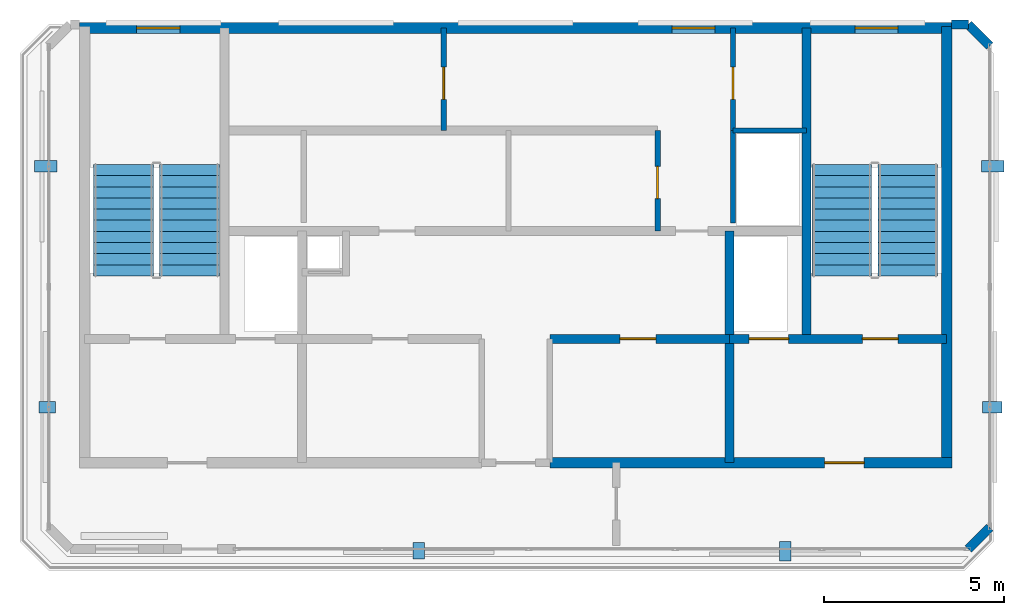
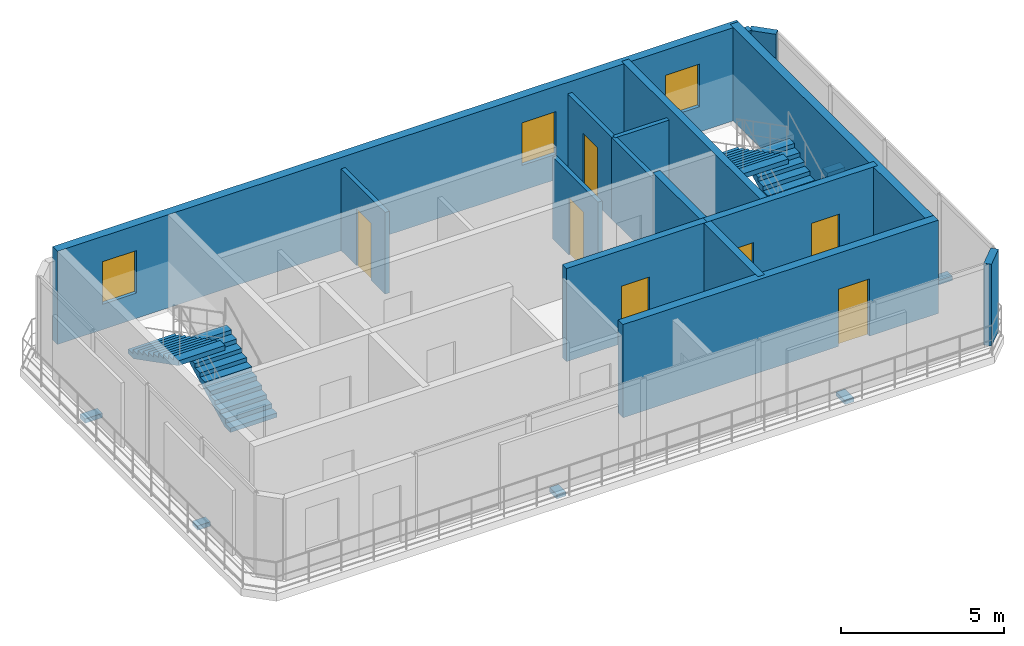
# One storey, part 6 of 7: 15 walls, 7 doors, 6 discrete accessories, 4 stair flights, 3 windows, 10 openings, 2 elements without a shape of their own.
"""IFC4 building model written with IfcOpenShell, lengths in metres."""

from ifc_helpers import new_model, si_unit, direction, frame, frame_2d, origin, origin_2d, place, context, subcontext, project, spatial, polyline, rectangle, outline, extrude, material, layer, layer_set, type_object, element, fill, aggregate, save


model = new_model("IFC4")

# Units and contexts
model_context = context("Model", 3, precision=1e-05, world=origin(), true_north=direction((0.0, 1.0)))
body_context = subcontext(model_context, "Body", "Model", "MODEL_VIEW")
ifc_project = project(units=[si_unit("LENGTHUNIT", "METRE"), si_unit("AREAUNIT", "SQUARE_METRE"), si_unit("VOLUMEUNIT", "CUBIC_METRE"), si_unit("PLANEANGLEUNIT", "RADIAN"), si_unit("MASSUNIT", "GRAM", prefix="KILO")], contexts=[model_context])

# Site, building, storey
site_placement = place(None, origin())
site = spatial("IfcSite", under=ifc_project, at=site_placement, CompositionType="ELEMENT")
building_placement = place(site_placement, origin())
building = spatial("IfcBuilding", under=site, at=building_placement, Name="Catumbela Crestline Tower", CompositionType="ELEMENT")
storey_placement = place(building_placement, frame((0.0, 0.0, 315.0)))
storey = spatial("IfcBuildingStorey", under=building, at=storey_placement, Name="L81", CompositionType="ELEMENT", Elevation=315.0)

# Walls
ifc_material_1 = material(Name="Concrete C50/60", Category="concrete")
ifc_layer_1 = layer(ifc_material_1, 0.25, Name="Concrete C50/60")
ifc_layer_set_1 = layer_set([ifc_layer_1], Name="Concrete C50/60")
wall_type_1 = type_object("IfcWallType", Name="CW-250D", PredefinedType="SHEAR", material=ifc_layer_set_1)
wall_1_placement = place(storey_placement, frame((36.1, 34.25, 0.0), z_axis=(0.0, 0.0, 1.0), x_axis=(0.0, 1.0, 0.0)))
element("IfcWall", 1, at=wall_1_placement, inside=storey, type_object=wall_type_1, Name="L81 Structural Core Shear Wall EWEB", PredefinedType="SHEAR", context=body_context, shape_type="SweptSolid", body=[
    extrude(rectangle(XDim=8.65, YDim=0.25, at=frame_2d((4.325, 0.0))), origin(), (0.0, 0.0, 1.0), 3.5),
])
wall_2_placement = place(storey_placement, frame((33.95, 30.8, 0.0), z_axis=(0.0, 0.0, 1.0), x_axis=(0.0, 1.0, 0.0)))
element("IfcWall", 2, at=wall_2_placement, inside=storey, type_object=wall_type_1, Name="L81 Structural Core Shear Wall FFE", PredefinedType="SHEAR", context=body_context, shape_type="SweptSolid", body=[
    extrude(rectangle(XDim=6.45, YDim=0.25, at=frame_2d((3.225, 0.0))), origin(), (0.0, 0.0, 1.0), 3.5),
])

# Wall, openings, doors
wall_3_placement = place(storey_placement, frame((33.95, 34.25, 0.0), z_axis=(0.0, 0.0, 1.0), x_axis=(1.0, 0.0, 0.0)))
wall_3 = element("IfcWall", 3, at=wall_3_placement, inside=storey, type_object=wall_type_1, Name="L81 Structural Core Shear Wall ST2S", PredefinedType="SHEAR", context=body_context, shape_type="SweptSolid", body=[
    extrude(rectangle(XDim=6.05, YDim=0.25, at=frame_2d((3.025, 0.0))), origin(), (0.0, 0.0, 1.0), 3.5),
])
opening_1_placement = place(wall_3_placement, frame((3.7, 0.0, 0.0)))
opening_1 = element("IfcOpeningElement", 4, at=opening_1_placement, cuts=wall_3, Name="Opening DF9-100", PredefinedType="OPENING", context=body_context, shape_type="SweptSolid", body=[
    extrude(rectangle(XDim=1.0, YDim=2.15, at=frame_2d((0.5, 1.075))), frame((0.0, 0.135, 0.0), z_axis=(0.0, -1.0, 0.0), x_axis=(1.0, 0.0, 0.0)), (0.0, 0.0, 1.0), 0.27),
])
opening_2_placement = place(wall_3_placement, frame((0.55, 0.0, 0.0)))
opening_2 = element("IfcOpeningElement", 5, at=opening_2_placement, cuts=wall_3, Name="Opening LD-110", PredefinedType="OPENING", context=body_context, shape_type="SweptSolid", body=[
    extrude(rectangle(XDim=1.1, YDim=2.15, at=frame_2d((0.55, 1.075))), frame((0.0, 0.135, 0.0), z_axis=(0.0, -1.0, 0.0), x_axis=(1.0, 0.0, 0.0)), (0.0, 0.0, 1.0), 0.27),
])
ifc_material_2 = material(Name="Stainless steel EN 1.4401", Category="steel")
door_type_1 = type_object("IfcDoorType", Name="DF9-100", OperationType="NOTDEFINED", PredefinedType="DOOR", material=ifc_material_2)
door_1_placement = place(opening_1_placement, origin())
door_1 = element("IfcDoor", 6, at=door_1_placement, inside=storey, type_object=door_type_1, Name="L81 Interior Door DR-L81-ST02", OperationType="SINGLE_SWING_RIGHT", OverallHeight=2.15, OverallWidth=1.0, PredefinedType="DOOR", context=body_context, shape_type="SweptSolid", body=[
    extrude(rectangle(XDim=1.0, YDim=2.15, at=frame_2d((0.5, 1.075))), frame((0.0, 0.025, 0.0), z_axis=(0.0, -1.0, 0.0), x_axis=(1.0, 0.0, 0.0)), (0.0, 0.0, 1.0), 0.05),
])
fill(opening_1, door_1)
door_type_2 = type_object("IfcDoorType", Name="LD-110", OperationType="NOTDEFINED", PredefinedType="DOOR", material=ifc_material_2)
door_2_placement = place(opening_2_placement, origin())
door_2 = element("IfcDoor", 7, at=door_2_placement, inside=storey, type_object=door_type_2, Name="L81 Lift Landing Sliding Door FL-02", OperationType="DOUBLE_DOOR_SLIDING", OverallHeight=2.15, OverallWidth=1.1, PredefinedType="DOOR", context=body_context, shape_type="SweptSolid", body=[
    extrude(rectangle(XDim=1.1, YDim=2.15, at=frame_2d((0.55, 1.075))), frame((0.0, 0.025, 0.0), z_axis=(0.0, -1.0, 0.0), x_axis=(1.0, 0.0, 0.0)), (0.0, 0.0, 1.0), 0.05),
])
fill(opening_2, door_2)

# Wall, opening, door
wall_4_placement = place(storey_placement, frame((28.95, 34.25, 0.0), z_axis=(0.0, 0.0, 1.0), x_axis=(1.0, 0.0, 0.0)))
wall_4 = element("IfcWall", 8, at=wall_4_placement, inside=storey, type_object=wall_type_1, Name="L81 Structural Core Shear Wall LIFTS-E", PredefinedType="SHEAR", context=body_context, shape_type="SweptSolid", body=[
    extrude(rectangle(XDim=5.0, YDim=0.25, at=frame_2d((2.5, 0.0))), origin(), (0.0, 0.0, 1.0), 3.5),
])
opening_3_placement = place(wall_4_placement, frame((1.95, 0.0, 0.0)))
opening_3 = element("IfcOpeningElement", 9, at=opening_3_placement, cuts=wall_4, Name="Opening DF9-100", PredefinedType="OPENING", context=body_context, shape_type="SweptSolid", body=[
    extrude(rectangle(XDim=1.0, YDim=2.15, at=frame_2d((0.5, 1.075))), frame((0.0, 0.135, 0.0), z_axis=(0.0, -1.0, 0.0), x_axis=(1.0, 0.0, 0.0)), (0.0, 0.0, 1.0), 0.27),
])
door_3_placement = place(opening_3_placement, origin())
door_3 = element("IfcDoor", 10, at=door_3_placement, inside=storey, type_object=door_type_1, Name="L81 Interior Door DR-L81-RECL2", OperationType="SINGLE_SWING_RIGHT", OverallHeight=2.15, OverallWidth=1.0, PredefinedType="DOOR", context=body_context, shape_type="SweptSolid", body=[
    extrude(rectangle(XDim=1.0, YDim=2.15, at=frame_2d((0.5, 1.075))), frame((0.0, 0.025, 0.0), z_axis=(0.0, -1.0, 0.0), x_axis=(1.0, 0.0, 0.0)), (0.0, 0.0, 1.0), 0.05),
])
fill(opening_3, door_3)

# Wall
ifc_material_3 = material(Name="Concrete C45/55", Category="concrete")
ifc_layer_2 = layer(ifc_material_3, 0.3, Name="Concrete C45/55")
ifc_layer_set_2 = layer_set([ifc_layer_2], Name="Concrete C45/55")
wall_type_2 = type_object("IfcWallType", Name="CW-300C", PredefinedType="SHEAR", material=ifc_layer_set_2)
wall_5_placement = place(storey_placement, frame((40.0, 30.65, 0.0), z_axis=(0.0, 0.0, 1.0), x_axis=(0.0, 1.0, 0.0)))
element("IfcWall", 11, at=wall_5_placement, inside=storey, type_object=wall_type_2, Name="L81 Structural Core Shear Wall E", PredefinedType="SHEAR", context=body_context, shape_type="SweptSolid", body=[
    extrude(rectangle(XDim=12.3, YDim=0.3, at=frame_2d((6.15, 0.0))), origin(), (0.0, 0.0, 1.0), 3.5),
])

# Wall, opening, door
wall_6_placement = place(storey_placement, frame((28.95, 30.8, 0.0), z_axis=(0.0, 0.0, 1.0), x_axis=(1.0, 0.0, 0.0)))
wall_6 = element("IfcWall", 12, at=wall_6_placement, inside=storey, type_object=wall_type_2, Name="L81 Structural Core Shear Wall SE", PredefinedType="SHEAR", context=body_context, shape_type="SweptSolid", body=[
    extrude(rectangle(XDim=11.2, YDim=0.3, at=frame_2d((5.6, 0.0))), origin(), (0.0, 0.0, 1.0), 3.5),
])
opening_4_placement = place(wall_6_placement, frame((7.65, 0.0, 0.0)))
opening_4 = element("IfcOpeningElement", 13, at=opening_4_placement, cuts=wall_6, Name="Opening DF9-110", PredefinedType="OPENING", context=body_context, shape_type="SweptSolid", body=[
    extrude(rectangle(XDim=1.1, YDim=2.15, at=frame_2d((0.55, 1.075))), frame((0.0, 0.16, 0.0), z_axis=(0.0, -1.0, 0.0), x_axis=(1.0, 0.0, 0.0)), (0.0, 0.0, 1.0), 0.32),
])
door_type_3 = type_object("IfcDoorType", Name="DF9-110", OperationType="NOTDEFINED", PredefinedType="DOOR", material=ifc_material_2)
door_4_placement = place(opening_4_placement, origin())
door_4 = element("IfcDoor", 14, at=door_4_placement, inside=storey, type_object=door_type_3, Name="L81 Interior Door DR-L81-FFE-S", OperationType="SINGLE_SWING_RIGHT", OverallHeight=2.15, OverallWidth=1.1, PredefinedType="DOOR", context=body_context, shape_type="SweptSolid", body=[
    extrude(rectangle(XDim=1.1, YDim=2.15, at=frame_2d((0.55, 1.075))), frame((0.0, 0.025, 0.0), z_axis=(0.0, -1.0, 0.0), x_axis=(1.0, 0.0, 0.0)), (0.0, 0.0, 1.0), 0.05),
])
fill(opening_4, door_4)

# Wall, openings, windows
ifc_layer_3 = layer(ifc_material_3, 0.3, Name="Concrete C45/55")
ifc_layer_set_3 = layer_set([ifc_layer_3], Name="Concrete C45/55")
wall_type_3 = type_object("IfcWallType", Name="CW-300E", PredefinedType="SHEAR", material=ifc_layer_set_3)
wall_7_placement = place(storey_placement, frame((15.85, 42.9, 0.0), z_axis=(0.0, 0.0, 1.0), x_axis=(1.0, 0.0, 0.0)))
wall_7 = element("IfcWall", 15, at=wall_7_placement, inside=storey, type_object=wall_type_3, Name="L81 Structural Core Shear Wall N", PredefinedType="SHEAR", context=body_context, shape_type="SweptSolid", body=[
    extrude(rectangle(XDim=24.3, YDim=0.3, at=frame_2d((12.15, 0.0))), origin(), (0.0, 0.0, 1.0), 3.5),
])
opening_5_placement = place(wall_7_placement, frame((1.6, 0.0, 0.95)))
opening_5 = element("IfcOpeningElement", 16, at=opening_5_placement, cuts=wall_7, Name="Opening WN-02", PredefinedType="OPENING", context=body_context, shape_type="SweptSolid", body=[
    extrude(rectangle(XDim=1.2, YDim=1.6, at=frame_2d((0.6, 0.8))), frame((0.0, 0.16, 0.0), z_axis=(0.0, -1.0, 0.0), x_axis=(1.0, 0.0, 0.0)), (0.0, 0.0, 1.0), 0.32),
])
opening_6_placement = place(wall_7_placement, frame((16.5, 0.0, 0.95)))
opening_6 = element("IfcOpeningElement", 17, at=opening_6_placement, cuts=wall_7, Name="Opening WN-02", PredefinedType="OPENING", context=body_context, shape_type="SweptSolid", body=[
    extrude(rectangle(XDim=1.2, YDim=1.6, at=frame_2d((0.6, 0.8))), frame((0.0, 0.16, 0.0), z_axis=(0.0, -1.0, 0.0), x_axis=(1.0, 0.0, 0.0)), (0.0, 0.0, 1.0), 0.32),
])
opening_7_placement = place(wall_7_placement, frame((21.6, 0.0, 0.95)))
opening_7 = element("IfcOpeningElement", 18, at=opening_7_placement, cuts=wall_7, Name="Opening WN-02", PredefinedType="OPENING", context=body_context, shape_type="SweptSolid", body=[
    extrude(rectangle(XDim=1.2, YDim=1.6, at=frame_2d((0.6, 0.8))), frame((0.0, 0.16, 0.0), z_axis=(0.0, -1.0, 0.0), x_axis=(1.0, 0.0, 0.0)), (0.0, 0.0, 1.0), 0.32),
])
ifc_material_4 = material(Name="Low-E laminated solar-control double glazing", Category="glass")
window_type = type_object("IfcWindowType", Name="WO-1200", PartitioningType="SINGLE_PANEL", PredefinedType="WINDOW", material=ifc_material_4)
window_1_placement = place(opening_5_placement, origin())
window_1 = element("IfcWindow", 19, at=window_1_placement, inside=storey, type_object=window_type, Name="L81 North Core Daylight Vision Window 647", OverallHeight=1.6, OverallWidth=1.2, PartitioningType="SINGLE_PANEL", PredefinedType="WINDOW", context=body_context, shape_type="SweptSolid", body=[
    extrude(rectangle(XDim=1.2, YDim=1.6, at=frame_2d((0.6, 0.8))), frame((0.0, 0.03, 0.0), z_axis=(0.0, -1.0, 0.0), x_axis=(1.0, 0.0, 0.0)), (0.0, 0.0, 1.0), 0.06),
])
fill(opening_5, window_1)
window_2_placement = place(opening_6_placement, origin())
window_2 = element("IfcWindow", 20, at=window_2_placement, inside=storey, type_object=window_type, Name="L81 North Core Daylight Vision Window 648", OverallHeight=1.6, OverallWidth=1.2, PartitioningType="SINGLE_PANEL", PredefinedType="WINDOW", context=body_context, shape_type="SweptSolid", body=[
    extrude(rectangle(XDim=1.2, YDim=1.6, at=frame_2d((0.6, 0.8))), frame((0.0, 0.03, 0.0), z_axis=(0.0, -1.0, 0.0), x_axis=(1.0, 0.0, 0.0)), (0.0, 0.0, 1.0), 0.06),
])
fill(opening_6, window_2)
window_3_placement = place(opening_7_placement, origin())
window_3 = element("IfcWindow", 21, at=window_3_placement, inside=storey, type_object=window_type, Name="L81 North Core Daylight Vision Window 649", OverallHeight=1.6, OverallWidth=1.2, PartitioningType="SINGLE_PANEL", PredefinedType="WINDOW", context=body_context, shape_type="SweptSolid", body=[
    extrude(rectangle(XDim=1.2, YDim=1.6, at=frame_2d((0.6, 0.8))), frame((0.0, 0.03, 0.0), z_axis=(0.0, -1.0, 0.0), x_axis=(1.0, 0.0, 0.0)), (0.0, 0.0, 1.0), 0.06),
])
fill(opening_7, window_3)

# Walls
ifc_material_5 = material(Name="Angolan grey-ochre granite", Category="masonry")
ifc_layer_4 = layer(ifc_material_5, 0.25, Name="Angolan grey-ochre granite")
ifc_layer_set_4 = layer_set([ifc_layer_4], Name="Angolan grey-ochre granite")
wall_type_4 = type_object("IfcWallType", Name="WE-250", PredefinedType="STANDARD", material=ifc_layer_set_4)
for number, where, z_axis, x_axis, name in (
    (22, (40.6, 28.4, 0.0), (0.0, 0.0, 1.0), (0.707106781187, 0.707106781187, 0.0), "L81 Granite Punched Window Wall 1-1"),
    (23, (41.2, 42.4, 0.0), (0.0, 0.0, 1.0), (-0.707106781187, 0.707106781187, 0.0), "L81 Granite Punched Window Wall 3-1"),
):
    element("IfcWall", number, at=place(storey_placement, frame(where, z_axis=z_axis, x_axis=x_axis)), inside=storey, type_object=wall_type_4, Name=name, PredefinedType="STANDARD", context=body_context, shape_type="SweptSolid", body=[
        extrude(rectangle(XDim=0.8485, YDim=0.25, at=frame_2d((0.4242, 0.0))), origin(), (0.0, 0.0, 1.0), 3.07),
    ])
wall_8_placement = place(storey_placement, frame((40.6, 43.0, 0.0), z_axis=(0.0, 0.0, 1.0), x_axis=(-1.0, 0.0, 0.0)))
element("IfcWall", 24, at=wall_8_placement, inside=storey, type_object=wall_type_4, Name="L81 Granite Punched Window Wall 4-1", PredefinedType="STANDARD", context=body_context, shape_type="SweptSolid", body=[
    extrude(rectangle(XDim=0.46, YDim=0.25, at=frame_2d((0.23, 0.0))), origin(), (0.0, 0.0, 1.0), 3.07),
])
ifc_material_6 = material(Name="Acoustic gypsum and mineral-wool partition")
ifc_layer_5 = layer(ifc_material_6, 0.15, Name="Acoustic gypsum and mineral-wool partition")
ifc_layer_set_5 = layer_set([ifc_layer_5], Name="Acoustic gypsum and mineral-wool partition")
wall_type_5 = type_object("IfcWallType", Name="WP-150", PredefinedType="PARTITIONING", material=ifc_layer_set_5)
wall_9_placement = place(storey_placement, frame((34.05, 40.05, 0.0), z_axis=(0.0, 0.0, 1.0), x_axis=(1.0, 0.0, 0.0)))
element("IfcWall", 25, at=wall_9_placement, inside=storey, type_object=wall_type_5, Name="L81 Interior Partition PW-L81-CR-ES", PredefinedType="PARTITIONING", context=body_context, shape_type="SweptSolid", body=[
    extrude(rectangle(XDim=2.05, YDim=0.15, at=frame_2d((1.025, 0.0))), origin(), (0.0, 0.0, 1.0), 3.07),
])

# Wall, opening, door
wall_10_placement = place(storey_placement, frame((34.05, 40.05, 0.0), z_axis=(0.0, 0.0, 1.0), x_axis=(0.0, 1.0, 0.0)))
wall_10 = element("IfcWall", 26, at=wall_10_placement, inside=storey, type_object=wall_type_5, Name="L81 Interior Partition PW-L81-CR-EW", PredefinedType="PARTITIONING", context=body_context, shape_type="SweptSolid", body=[
    extrude(rectangle(XDim=2.85, YDim=0.15, at=frame_2d((1.425, 0.0))), origin(), (0.0, 0.0, 1.0), 3.07),
])
opening_8_placement = place(wall_10_placement, frame((0.865, 0.0, 0.0)))
opening_8 = element("IfcOpeningElement", 27, at=opening_8_placement, cuts=wall_10, Name="Opening DF9-090", PredefinedType="OPENING", context=body_context, shape_type="SweptSolid", body=[
    extrude(rectangle(XDim=0.9, YDim=2.15, at=frame_2d((0.45, 1.075))), frame((0.0, 0.085, 0.0), z_axis=(0.0, -1.0, 0.0), x_axis=(1.0, 0.0, 0.0)), (0.0, 0.0, 1.0), 0.17),
])
door_type_4 = type_object("IfcDoorType", Name="DF9-090", OperationType="NOTDEFINED", PredefinedType="DOOR", material=ifc_material_2)
door_5_placement = place(opening_8_placement, origin())
door_5 = element("IfcDoor", 28, at=door_5_placement, inside=storey, type_object=door_type_4, Name="L81 Interior Door DR-L81-CREAST", OperationType="SINGLE_SWING_RIGHT", OverallHeight=2.15, OverallWidth=0.9, PredefinedType="DOOR", context=body_context, shape_type="SweptSolid", body=[
    extrude(rectangle(XDim=0.9, YDim=2.15, at=frame_2d((0.45, 1.075))), frame((0.0, 0.025, 0.0), z_axis=(0.0, -1.0, 0.0), x_axis=(1.0, 0.0, 0.0)), (0.0, 0.0, 1.0), 0.05),
])
fill(opening_8, door_5)

wall_11_placement = place(storey_placement, frame((26.0, 40.05, 0.0), z_axis=(0.0, 0.0, 1.0), x_axis=(0.0, 1.0, 0.0)))
wall_11 = element("IfcWall", 29, at=wall_11_placement, inside=storey, type_object=wall_type_5, Name="L81 Interior Partition PW-L81-CR-WW", PredefinedType="PARTITIONING", context=body_context, shape_type="SweptSolid", body=[
    extrude(rectangle(XDim=2.85, YDim=0.15, at=frame_2d((1.425, 0.0))), origin(), (0.0, 0.0, 1.0), 3.07),
])
opening_9_placement = place(wall_11_placement, frame((0.865, 0.0, 0.0)))
opening_9 = element("IfcOpeningElement", 30, at=opening_9_placement, cuts=wall_11, Name="Opening DF9-090", PredefinedType="OPENING", context=body_context, shape_type="SweptSolid", body=[
    extrude(rectangle(XDim=0.9, YDim=2.15, at=frame_2d((0.45, 1.075))), frame((0.0, 0.085, 0.0), z_axis=(0.0, -1.0, 0.0), x_axis=(1.0, 0.0, 0.0)), (0.0, 0.0, 1.0), 0.17),
])
door_6_placement = place(opening_9_placement, origin())
door_6 = element("IfcDoor", 31, at=door_6_placement, inside=storey, type_object=door_type_4, Name="L81 Interior Door DR-L81-CRWEST", OperationType="SINGLE_SWING_LEFT", OverallHeight=2.15, OverallWidth=0.9, PredefinedType="DOOR", context=body_context, shape_type="SweptSolid", body=[
    extrude(rectangle(XDim=0.9, YDim=2.15, at=frame_2d((0.45, 1.075))), frame((0.0, 0.025, 0.0), z_axis=(0.0, -1.0, 0.0), x_axis=(1.0, 0.0, 0.0)), (0.0, 0.0, 1.0), 0.05),
])
fill(opening_9, door_6)

ifc_layer_6 = layer(ifc_material_6, 0.15, Name="Acoustic gypsum and mineral-wool partition")
ifc_layer_set_6 = layer_set([ifc_layer_6], Name="Acoustic gypsum and mineral-wool partition")
wall_type_6 = type_object("IfcWallType", Name="WS-150", PredefinedType="PLUMBINGWALL", material=ifc_layer_set_6)
wall_12_placement = place(storey_placement, frame((31.95, 37.25, 0.0), z_axis=(0.0, 0.0, 1.0), x_axis=(0.0, 1.0, 0.0)))
wall_12 = element("IfcWall", 32, at=wall_12_placement, inside=storey, type_object=wall_type_6, Name="L81 Interior Partition PW-L81-SHEX2E", PredefinedType="PLUMBINGWALL", context=body_context, shape_type="SweptSolid", body=[
    extrude(rectangle(XDim=2.8, YDim=0.15, at=frame_2d((1.4, 0.0))), origin(), (0.0, 0.0, 1.0), 3.07),
])
opening_10_placement = place(wall_12_placement, frame((0.9, 0.0, 0.0)))
opening_10 = element("IfcOpeningElement", 33, at=opening_10_placement, cuts=wall_12, Name="Opening DF9-090", PredefinedType="OPENING", context=body_context, shape_type="SweptSolid", body=[
    extrude(rectangle(XDim=0.9, YDim=2.15, at=frame_2d((0.45, 1.075))), frame((0.0, 0.085, 0.0), z_axis=(0.0, -1.0, 0.0), x_axis=(1.0, 0.0, 0.0)), (0.0, 0.0, 1.0), 0.17),
])
door_7_placement = place(opening_10_placement, origin())
door_7 = element("IfcDoor", 34, at=door_7_placement, inside=storey, type_object=door_type_4, Name="L81 Interior Door DR-L81-RECEX", OperationType="SINGLE_SWING_LEFT", OverallHeight=2.15, OverallWidth=0.9, PredefinedType="DOOR", context=body_context, shape_type="SweptSolid", body=[
    extrude(rectangle(XDim=0.9, YDim=2.15, at=frame_2d((0.45, 1.075))), frame((0.0, 0.025, 0.0), z_axis=(0.0, -1.0, 0.0), x_axis=(1.0, 0.0, 0.0)), (0.0, 0.0, 1.0), 0.05),
])
fill(opening_10, door_7)

# Wall
wall_13_placement = place(storey_placement, frame((34.05, 37.4734, 0.0), z_axis=(0.0, 0.0, 1.0), x_axis=(0.0, 1.0, 0.0)))
element("IfcWall", 35, at=wall_13_placement, inside=storey, type_object=wall_type_6, Name="L81 Interior Partition PW-L81-RISW", PredefinedType="PLUMBINGWALL", context=body_context, shape_type="SweptSolid", body=[
    extrude(rectangle(XDim=2.5766, YDim=0.15, at=frame_2d((1.2883, 0.0))), origin(), (0.0, 0.0, 1.0), 3.07),
])

# Stair, stair flights
stair_type = type_object("IfcStairType", Name="ST-DLG", PredefinedType="HALF_TURN_STAIR", material=ifc_material_3)
stair_1_placement = place(storey_placement, origin())
stair_1 = element("IfcStair", 36, at=stair_1_placement, inside=storey, type_object=stair_type, Name="L81 West Core Pressurised Exit Stair ST-01", PredefinedType="HALF_TURN_STAIR")
stair_flight_type = type_object("IfcStairFlightType", Name="SF-1591", PredefinedType="STRAIGHT", material=ifc_material_3)
stair_flight_1_placement = place(storey_placement, frame((18.92, 36.0, 0.0), z_axis=(0.0, 0.0, 1.0), x_axis=(0.0, 1.0, 0.0)))
stair_flight_1 = element("IfcStairFlight", 37, at=stair_flight_1_placement, type_object=stair_flight_type, Name="ST-01 flight 1", NumberOfRisers=11, NumberOfTreads=10, PredefinedType="STRAIGHT", RiserHeight=0.159090909, TreadLength=0.31, context=body_context, shape_type="SweptSolid", body=[
    extrude(outline(polyline([(0.0, 0.0), (0.0, 0.1591), (0.31, 0.1591), (0.31, 0.3182), (0.62, 0.3182), (0.62, 0.4773), (0.93, 0.4773), (0.93, 0.6364), (1.24, 0.6364), (1.24, 0.7955), (1.55, 0.7955), (1.55, 0.9545), (1.86, 0.9545), (1.86, 1.1136), (2.17, 1.1136), (2.17, 1.2727), (2.48, 1.2727), (2.48, 1.4318), (2.79, 1.4318), (2.79, 1.5909), (3.1, 1.5909), (3.1, 1.75), (3.1, 1.4111), (0.3504, 0.0), (0.0, 0.0)])), frame((0.0, 0.83, 0.0), z_axis=(0.0, -1.0, 0.0), x_axis=(1.0, 0.0, 0.0)), (0.0, 0.0, 1.0), 1.66),
])
stair_flight_2_placement = place(storey_placement, frame((17.08, 39.1, 1.75), z_axis=(0.0, 0.0, 1.0), x_axis=(0.0, -1.0, 0.0)))
stair_flight_2 = element("IfcStairFlight", 38, at=stair_flight_2_placement, type_object=stair_flight_type, Name="ST-01 flight 2", NumberOfRisers=11, NumberOfTreads=10, PredefinedType="STRAIGHT", RiserHeight=0.159090909, TreadLength=0.31, context=body_context, shape_type="SweptSolid", body=[
    extrude(outline(polyline([(0.0, 0.0), (0.0, 0.1591), (0.31, 0.1591), (0.31, 0.3182), (0.62, 0.3182), (0.62, 0.4773), (0.93, 0.4773), (0.93, 0.6364), (1.24, 0.6364), (1.24, 0.7955), (1.55, 0.7955), (1.55, 0.9545), (1.86, 0.9545), (1.86, 1.1136), (2.17, 1.1136), (2.17, 1.2727), (2.48, 1.2727), (2.48, 1.4318), (2.79, 1.4318), (2.79, 1.5909), (3.1, 1.5909), (3.1, 1.75), (3.1, 1.4111), (0.3504, 0.0), (0.0, 0.0)])), frame((0.0, 0.83, 0.0), z_axis=(0.0, -1.0, 0.0), x_axis=(1.0, 0.0, 0.0)), (0.0, 0.0, 1.0), 1.66),
])
aggregate(stair_1, [stair_flight_1, stair_flight_2])

stair_2_placement = place(storey_placement, origin())
stair_2 = element("IfcStair", 39, at=stair_2_placement, inside=storey, type_object=stair_type, Name="L81 East Core Pressurised Exit Stair ST-02", PredefinedType="HALF_TURN_STAIR")
stair_flight_3_placement = place(storey_placement, frame((38.92, 36.0, 0.0), z_axis=(0.0, 0.0, 1.0), x_axis=(0.0, 1.0, 0.0)))
stair_flight_3 = element("IfcStairFlight", 40, at=stair_flight_3_placement, type_object=stair_flight_type, Name="ST-02 flight 1", NumberOfRisers=11, NumberOfTreads=10, PredefinedType="STRAIGHT", RiserHeight=0.159090909, TreadLength=0.31, context=body_context, shape_type="SweptSolid", body=[
    extrude(outline(polyline([(0.0, 0.0), (0.0, 0.1591), (0.31, 0.1591), (0.31, 0.3182), (0.62, 0.3182), (0.62, 0.4773), (0.93, 0.4773), (0.93, 0.6364), (1.24, 0.6364), (1.24, 0.7955), (1.55, 0.7955), (1.55, 0.9545), (1.86, 0.9545), (1.86, 1.1136), (2.17, 1.1136), (2.17, 1.2727), (2.48, 1.2727), (2.48, 1.4318), (2.79, 1.4318), (2.79, 1.5909), (3.1, 1.5909), (3.1, 1.75), (3.1, 1.4111), (0.3504, 0.0), (0.0, 0.0)])), frame((0.0, 0.83, 0.0), z_axis=(0.0, -1.0, 0.0), x_axis=(1.0, 0.0, 0.0)), (0.0, 0.0, 1.0), 1.66),
])
stair_flight_4_placement = place(storey_placement, frame((37.08, 39.1, 1.75), z_axis=(0.0, 0.0, 1.0), x_axis=(0.0, -1.0, 0.0)))
stair_flight_4 = element("IfcStairFlight", 41, at=stair_flight_4_placement, type_object=stair_flight_type, Name="ST-02 flight 2", NumberOfRisers=11, NumberOfTreads=10, PredefinedType="STRAIGHT", RiserHeight=0.159090909, TreadLength=0.31, context=body_context, shape_type="SweptSolid", body=[
    extrude(outline(polyline([(0.0, 0.0), (0.0, 0.1591), (0.31, 0.1591), (0.31, 0.3182), (0.62, 0.3182), (0.62, 0.4773), (0.93, 0.4773), (0.93, 0.6364), (1.24, 0.6364), (1.24, 0.7955), (1.55, 0.7955), (1.55, 0.9545), (1.86, 0.9545), (1.86, 1.1136), (2.17, 1.1136), (2.17, 1.2727), (2.48, 1.2727), (2.48, 1.4318), (2.79, 1.4318), (2.79, 1.5909), (3.1, 1.5909), (3.1, 1.75), (3.1, 1.4111), (0.3504, 0.0), (0.0, 0.0)])), frame((0.0, 0.83, 0.0), z_axis=(0.0, -1.0, 0.0), x_axis=(1.0, 0.0, 0.0)), (0.0, 0.0, 1.0), 1.66),
])
aggregate(stair_2, [stair_flight_3, stair_flight_4])

# Discrete accessories
discrete_accessory_type = type_object("IfcDiscreteAccessoryType", Name="BK-SS1", PredefinedType="BRACKET", material=ifc_material_2)
discrete_accessory_1_placement = place(storey_placement, frame((25.3, 28.355, -0.18), z_axis=(0.0, 0.0, 1.0), x_axis=(1.0, 0.0, 0.0)))
element("IfcDiscreteAccessory", 42, at=discrete_accessory_1_placement, inside=storey, type_object=discrete_accessory_type, Name="L81 Solar Screen Stainless Bracket 976", PredefinedType="BRACKET", context=body_context, shape_type="SweptSolid", body=[
    extrude(rectangle(XDim=0.32, YDim=0.46, at=origin_2d()), origin(), (0.0, 0.0, 1.0), 0.16),
])
for number, where, z_axis, x_axis, name in (
    (43, (35.5, 28.335, -0.18), (0.0, 0.0, 1.0), (1.0, 0.0, 0.0), "L81 Solar Screen Stainless Bracket 977"),
    (44, (41.265, 32.35, -0.18), (0.0, 0.0, 1.0), (0.0, 1.0, 0.0), "L81 Solar Screen Stainless Bracket 978"),
):
    element("IfcDiscreteAccessory", number, at=place(storey_placement, frame(where, z_axis=z_axis, x_axis=x_axis)), inside=storey, type_object=discrete_accessory_type, Name=name, PredefinedType="BRACKET", context=body_context, shape_type="SweptSolid", body=[
        extrude(rectangle(XDim=0.32, YDim=0.54, at=origin_2d()), origin(), (0.0, 0.0, 1.0), 0.16),
    ])
for number, where, z_axis, x_axis, name in (
    (45, (41.285, 39.05, -0.18), (0.0, 0.0, 1.0), (0.0, 1.0, 0.0), "L81 Solar Screen Stainless Bracket 979"),
    (46, (14.915, 39.05, -0.18), (0.0, 0.0, 1.0), (0.0, -1.0, 0.0), "L81 Solar Screen Stainless Bracket 980"),
):
    element("IfcDiscreteAccessory", number, at=place(storey_placement, frame(where, z_axis=z_axis, x_axis=x_axis)), inside=storey, type_object=discrete_accessory_type, Name=name, PredefinedType="BRACKET", context=body_context, shape_type="SweptSolid", body=[
        extrude(rectangle(XDim=0.32, YDim=0.62, at=origin_2d()), origin(), (0.0, 0.0, 1.0), 0.16),
    ])
discrete_accessory_2_placement = place(storey_placement, frame((14.955, 32.35, -0.18), z_axis=(0.0, 0.0, 1.0), x_axis=(0.0, -1.0, 0.0)))
element("IfcDiscreteAccessory", 47, at=discrete_accessory_2_placement, inside=storey, type_object=discrete_accessory_type, Name="L81 Solar Screen Stainless Bracket 981", PredefinedType="BRACKET", context=body_context, shape_type="SweptSolid", body=[
    extrude(rectangle(XDim=0.32, YDim=0.46, at=origin_2d()), origin(), (0.0, 0.0, 1.0), 0.16),
])

save(model, "model.ifc")
